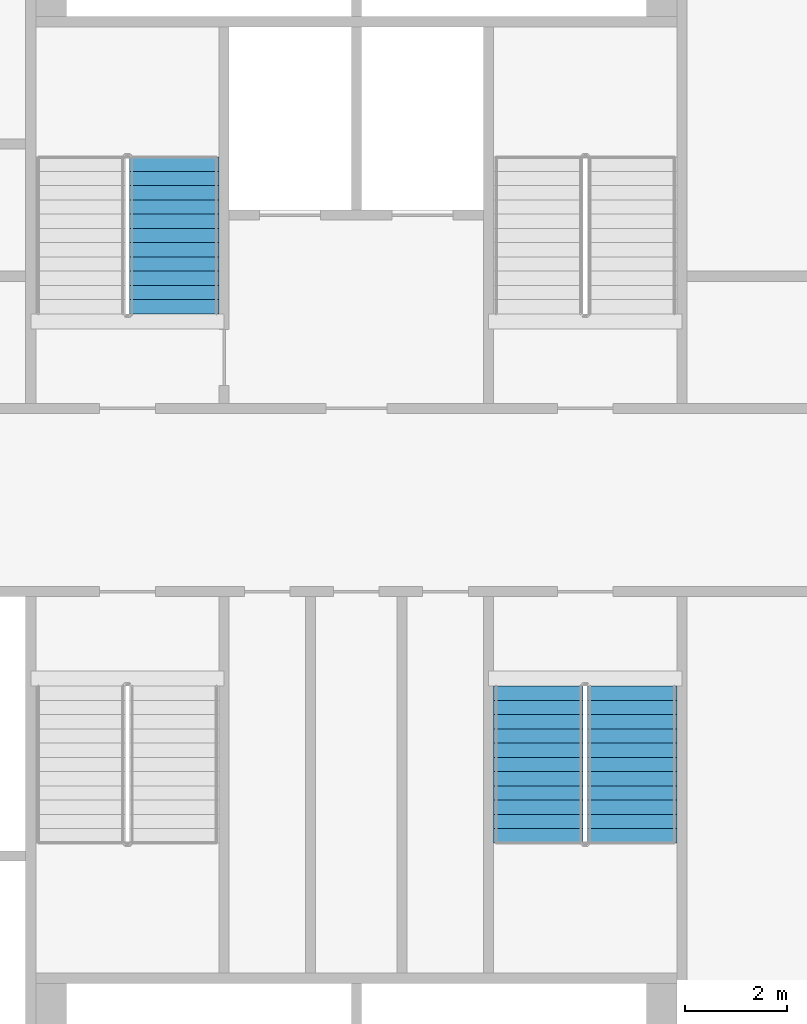
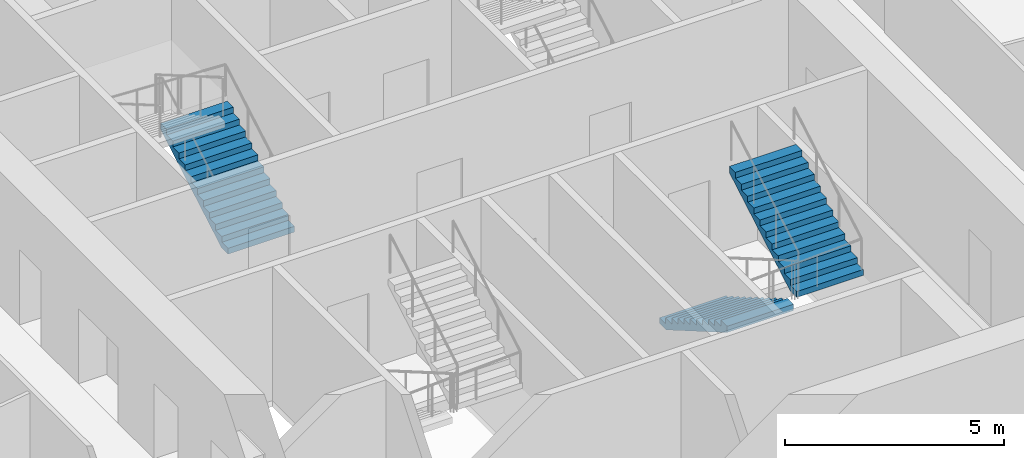
# One storey, part 17 of 24: 3 stair flights, 2 elements without a shape of their own.
"""IFC4 building model written with IfcOpenShell, lengths in metres."""

from ifc_helpers import new_model, si_unit, direction, frame, origin, place, context, subcontext, project, spatial, faceted_brep, material, type_object, element, aggregate, save


model = new_model("IFC4")

# Units and contexts
model_context = context("Model", 3, precision=1e-05, world=origin(), true_north=direction((0.0, 1.0)))
body_context = subcontext(model_context, "Body", "Model", "MODEL_VIEW")
ifc_project = project(units=[si_unit("LENGTHUNIT", "METRE"), si_unit("AREAUNIT", "SQUARE_METRE"), si_unit("VOLUMEUNIT", "CUBIC_METRE"), si_unit("PLANEANGLEUNIT", "RADIAN"), si_unit("MASSUNIT", "GRAM", prefix="KILO")], contexts=[model_context])

# Site, building, storey
site_placement = place(None, origin())
site = spatial("IfcSite", under=ifc_project, at=site_placement, CompositionType="ELEMENT")
building_placement = place(site_placement, origin())
building = spatial("IfcBuilding", under=site, at=building_placement, Name="Tarsis Ring Headquarters", CompositionType="ELEMENT")
storey_placement = place(building_placement, frame((0.0, 0.0, 92.800048828125)))
storey = spatial("IfcBuildingStorey", under=building, at=storey_placement, Name="L20", CompositionType="ELEMENT", Elevation=92.800048828125)

# Stair, stair flight
ifc_material_1 = material(Name="Core stair 1760")
stair_type = type_object("IfcStairType", Name="Core stair 1760", PredefinedType="HALF_TURN_STAIR", material=ifc_material_1)
stair_1_placement = place(storey_placement, origin())
stair_1 = element("IfcStair", 1, at=stair_1_placement, inside=storey, type_object=stair_type, Name="L20 Firefighting stair", PredefinedType="HALF_TURN_STAIR")
ifc_material_2 = material(Name="Concrete C40/50", Category="concrete")
stair_flight_type = type_object("IfcStairFlightType", Name="Core stair flight 1760", PredefinedType="STRAIGHT", material=ifc_material_2)
stair_flight_1_placement = place(storey_placement, frame((-3.580078125, 3.659912109375, 0.0), z_axis=(0.0, 0.0, 1.0), x_axis=(0.0, 1.0, 0.0)))
stair_flight_1 = element("IfcStairFlight", 2, at=stair_flight_1_placement, type_object=stair_flight_type, Name="Stair ST1 flight 1", NumberOfRisers=12, NumberOfTreads=11, PredefinedType="STRAIGHT", RiserHeight=0.1625, TreadLength=0.28, context=body_context, shape_type="Brep", body=[
    faceted_brep([(0.0, 0.8798828125, 0.0), (0.0, 0.8798828125, 0.16259765625), (0.280029296875, 0.8798828125, 0.16259765625), (0.280029296875, 0.8798828125, 0.324951171875), (0.56005859375, 0.8798828125, 0.324951171875), (0.56005859375, 0.8798828125, 0.487548828125), (0.840087890625, 0.8798828125, 0.487548828125), (0.840087890625, 0.8798828125, 0.64990234375), (1.1201171875, 0.8798828125, 0.64990234375), (1.1201171875, 0.8798828125, 0.8125), (1.39990234375, 0.8798828125, 0.8125), (1.39990234375, 0.8798828125, 0.97509765625), (1.679931640625, 0.8798828125, 0.97509765625), (1.679931640625, 0.8798828125, 1.137451171875), (1.9599609375, 0.8798828125, 1.137451171875), (1.9599609375, 0.8798828125, 1.300048828125), (2.239990234375, 0.8798828125, 1.300048828125), (2.239990234375, 0.8798828125, 1.46240234375), (2.52001953125, 0.8798828125, 1.46240234375), (2.52001953125, 0.8798828125, 1.625), (2.800048828125, 0.8798828125, 1.625), (2.800048828125, 0.8798828125, 1.78759765625), (3.080078125, 0.8798828125, 1.78759765625), (3.080078125, 0.8798828125, 1.6142578125), (0.298583984375, 0.8798828125, 0.0), (0.298583984375, -0.8798828125, 0.0), (3.080078125, -0.8798828125, 1.6142578125), (3.080078125, -0.8798828125, 1.78759765625), (2.800048828125, -0.8798828125, 1.78759765625), (2.800048828125, -0.8798828125, 1.625), (2.52001953125, -0.8798828125, 1.625), (2.52001953125, -0.8798828125, 1.46240234375), (2.239990234375, -0.8798828125, 1.46240234375), (2.239990234375, -0.8798828125, 1.300048828125), (1.9599609375, -0.8798828125, 1.300048828125), (1.9599609375, -0.8798828125, 1.137451171875), (1.679931640625, -0.8798828125, 1.137451171875), (1.679931640625, -0.8798828125, 0.97509765625), (1.39990234375, -0.8798828125, 0.97509765625), (1.39990234375, -0.8798828125, 0.8125), (1.1201171875, -0.8798828125, 0.8125), (1.1201171875, -0.8798828125, 0.64990234375), (0.840087890625, -0.8798828125, 0.64990234375), (0.840087890625, -0.8798828125, 0.487548828125), (0.56005859375, -0.8798828125, 0.487548828125), (0.56005859375, -0.8798828125, 0.324951171875), (0.280029296875, -0.8798828125, 0.324951171875), (0.280029296875, -0.8798828125, 0.16259765625), (0.0, -0.8798828125, 0.16259765625), (0.0, -0.8798828125, 0.0), (0.0, -0.43994140625, 0.16259765625), (0.0, -0.43994140625, 0.0), (0.0, 0.0, 0.16259765625), (0.0, 0.0, 0.0), (0.0, 0.43994140625, 0.16259765625), (0.0, 0.43994140625, 0.0), (0.280029296875, -0.43994140625, 0.16259765625), (0.280029296875, 0.0, 0.16259765625), (0.280029296875, 0.43994140625, 0.16259765625), (0.280029296875, -0.43994140625, 0.324951171875), (0.280029296875, 0.0, 0.324951171875), (0.280029296875, 0.43994140625, 0.324951171875), (0.56005859375, -0.43994140625, 0.324951171875), (0.56005859375, 0.0, 0.324951171875), (0.56005859375, 0.43994140625, 0.324951171875), (0.56005859375, -0.43994140625, 0.487548828125), (0.56005859375, 0.0, 0.487548828125), (0.56005859375, 0.43994140625, 0.487548828125), (0.840087890625, -0.43994140625, 0.487548828125), (0.840087890625, 0.0, 0.487548828125), (0.840087890625, 0.43994140625, 0.487548828125), (0.840087890625, -0.43994140625, 0.64990234375), (0.840087890625, 0.0, 0.64990234375), (0.840087890625, 0.43994140625, 0.64990234375), (1.1201171875, -0.43994140625, 0.64990234375), (1.1201171875, 0.0, 0.64990234375), (1.1201171875, 0.43994140625, 0.64990234375), (1.1201171875, -0.43994140625, 0.8125), (1.1201171875, 0.0, 0.8125), (1.1201171875, 0.43994140625, 0.8125), (1.39990234375, -0.43994140625, 0.8125), (1.39990234375, 0.0, 0.8125), (1.39990234375, 0.43994140625, 0.8125), (1.39990234375, -0.43994140625, 0.97509765625), (1.39990234375, 0.0, 0.97509765625), (1.39990234375, 0.43994140625, 0.97509765625), (1.679931640625, -0.43994140625, 0.97509765625), (1.679931640625, 0.0, 0.97509765625), (1.679931640625, 0.43994140625, 0.97509765625), (1.679931640625, -0.43994140625, 1.137451171875), (1.679931640625, 0.0, 1.137451171875), (1.679931640625, 0.43994140625, 1.137451171875), (1.9599609375, -0.43994140625, 1.137451171875), (1.9599609375, 0.0, 1.137451171875), (1.9599609375, 0.43994140625, 1.137451171875), (1.9599609375, -0.43994140625, 1.300048828125), (1.9599609375, 0.0, 1.300048828125), (1.9599609375, 0.43994140625, 1.300048828125), (2.239990234375, -0.43994140625, 1.300048828125), (2.239990234375, 0.0, 1.300048828125), (2.239990234375, 0.43994140625, 1.300048828125), (2.239990234375, -0.43994140625, 1.46240234375), (2.239990234375, 0.0, 1.46240234375), (2.239990234375, 0.43994140625, 1.46240234375), (2.52001953125, -0.43994140625, 1.46240234375), (2.52001953125, 0.0, 1.46240234375), (2.52001953125, 0.43994140625, 1.46240234375), (2.52001953125, -0.43994140625, 1.625), (2.52001953125, 0.0, 1.625), (2.52001953125, 0.43994140625, 1.625), (2.800048828125, -0.43994140625, 1.625), (2.800048828125, 0.0, 1.625), (2.800048828125, 0.43994140625, 1.625), (2.800048828125, -0.43994140625, 1.78759765625), (2.800048828125, 0.0, 1.78759765625), (2.800048828125, 0.43994140625, 1.78759765625), (3.080078125, -0.43994140625, 1.78759765625), (3.080078125, 0.0, 1.78759765625), (3.080078125, 0.43994140625, 1.78759765625), (3.080078125, -0.43994140625, 1.6142578125), (3.080078125, 0.0, 1.6142578125), (3.080078125, 0.43994140625, 1.6142578125), (0.298583984375, -0.43994140625, 0.0), (0.298583984375, 0.0, 0.0), (0.298583984375, 0.43994140625, 0.0)], [[[0, 1, 2, 3, 4, 5, 6, 7, 8, 9, 10, 11, 12, 13, 14, 15, 16, 17, 18, 19, 20, 21, 22, 23, 24]], [[25, 26, 27, 28, 29, 30, 31, 32, 33, 34, 35, 36, 37, 38, 39, 40, 41, 42, 43, 44, 45, 46, 47, 48, 49]], [[49, 48, 50, 51]], [[51, 50, 52, 53]], [[53, 52, 54, 55]], [[55, 54, 1, 0]], [[48, 47, 56, 50]], [[50, 56, 57, 52]], [[52, 57, 58, 54]], [[54, 58, 2, 1]], [[47, 46, 59, 56]], [[56, 59, 60, 57]], [[57, 60, 61, 58]], [[58, 61, 3, 2]], [[46, 45, 62, 59]], [[59, 62, 63, 60]], [[60, 63, 64, 61]], [[61, 64, 4, 3]], [[45, 44, 65, 62]], [[62, 65, 66, 63]], [[63, 66, 67, 64]], [[64, 67, 5, 4]], [[44, 43, 68, 65]], [[65, 68, 69, 66]], [[66, 69, 70, 67]], [[67, 70, 6, 5]], [[43, 42, 71, 68]], [[68, 71, 72, 69]], [[69, 72, 73, 70]], [[70, 73, 7, 6]], [[42, 41, 74, 71]], [[71, 74, 75, 72]], [[72, 75, 76, 73]], [[73, 76, 8, 7]], [[41, 40, 77, 74]], [[74, 77, 78, 75]], [[75, 78, 79, 76]], [[76, 79, 9, 8]], [[40, 39, 80, 77]], [[77, 80, 81, 78]], [[78, 81, 82, 79]], [[79, 82, 10, 9]], [[39, 38, 83, 80]], [[80, 83, 84, 81]], [[81, 84, 85, 82]], [[82, 85, 11, 10]], [[38, 37, 86, 83]], [[83, 86, 87, 84]], [[84, 87, 88, 85]], [[85, 88, 12, 11]], [[37, 36, 89, 86]], [[86, 89, 90, 87]], [[87, 90, 91, 88]], [[88, 91, 13, 12]], [[36, 35, 92, 89]], [[89, 92, 93, 90]], [[90, 93, 94, 91]], [[91, 94, 14, 13]], [[35, 34, 95, 92]], [[92, 95, 96, 93]], [[93, 96, 97, 94]], [[94, 97, 15, 14]], [[34, 33, 98, 95]], [[95, 98, 99, 96]], [[96, 99, 100, 97]], [[97, 100, 16, 15]], [[33, 32, 101, 98]], [[98, 101, 102, 99]], [[99, 102, 103, 100]], [[100, 103, 17, 16]], [[32, 31, 104, 101]], [[101, 104, 105, 102]], [[102, 105, 106, 103]], [[103, 106, 18, 17]], [[31, 30, 107, 104]], [[104, 107, 108, 105]], [[105, 108, 109, 106]], [[106, 109, 19, 18]], [[30, 29, 110, 107]], [[107, 110, 111, 108]], [[108, 111, 112, 109]], [[109, 112, 20, 19]], [[29, 28, 113, 110]], [[110, 113, 114, 111]], [[111, 114, 115, 112]], [[112, 115, 21, 20]], [[28, 27, 116, 113]], [[113, 116, 117, 114]], [[114, 117, 118, 115]], [[115, 118, 22, 21]], [[27, 26, 119, 116]], [[116, 119, 120, 117]], [[117, 120, 121, 118]], [[118, 121, 23, 22]], [[26, 25, 122, 119]], [[119, 122, 123, 120]], [[120, 123, 124, 121]], [[121, 124, 24, 23]], [[25, 49, 51, 122]], [[122, 51, 53, 123]], [[123, 53, 55, 124]], [[124, 55, 0, 24]]]),
])
aggregate(stair_1, [stair_flight_1])

# Stair, stair flights
stair_2_placement = place(storey_placement, origin())
stair_2 = element("IfcStair", 3, at=stair_2_placement, inside=storey, type_object=stair_type, Name="L20 Exit stair D", PredefinedType="HALF_TURN_STAIR")
stair_flight_2_placement = place(storey_placement, frame((3.580078125, -3.659912109375, 0.0), z_axis=(0.0, 0.0, 1.0), x_axis=(0.0, -1.0, 0.0)))
stair_flight_2 = element("IfcStairFlight", 4, at=stair_flight_2_placement, type_object=stair_flight_type, Name="Stair ST4 flight 1", NumberOfRisers=12, NumberOfTreads=11, PredefinedType="STRAIGHT", RiserHeight=0.1625, TreadLength=0.28, context=body_context, shape_type="Brep", body=[
    faceted_brep([(0.0, 0.8798828125, 0.0), (0.0, 0.8798828125, 0.16259765625), (0.280029296875, 0.8798828125, 0.16259765625), (0.280029296875, 0.8798828125, 0.324951171875), (0.56005859375, 0.8798828125, 0.324951171875), (0.56005859375, 0.8798828125, 0.487548828125), (0.840087890625, 0.8798828125, 0.487548828125), (0.840087890625, 0.8798828125, 0.64990234375), (1.1201171875, 0.8798828125, 0.64990234375), (1.1201171875, 0.8798828125, 0.8125), (1.39990234375, 0.8798828125, 0.8125), (1.39990234375, 0.8798828125, 0.97509765625), (1.679931640625, 0.8798828125, 0.97509765625), (1.679931640625, 0.8798828125, 1.137451171875), (1.9599609375, 0.8798828125, 1.137451171875), (1.9599609375, 0.8798828125, 1.300048828125), (2.239990234375, 0.8798828125, 1.300048828125), (2.239990234375, 0.8798828125, 1.46240234375), (2.52001953125, 0.8798828125, 1.46240234375), (2.52001953125, 0.8798828125, 1.625), (2.800048828125, 0.8798828125, 1.625), (2.800048828125, 0.8798828125, 1.78759765625), (3.080078125, 0.8798828125, 1.78759765625), (3.080078125, 0.8798828125, 1.6142578125), (0.298583984375, 0.8798828125, 0.0), (0.298583984375, -0.8798828125, 0.0), (3.080078125, -0.8798828125, 1.6142578125), (3.080078125, -0.8798828125, 1.78759765625), (2.800048828125, -0.8798828125, 1.78759765625), (2.800048828125, -0.8798828125, 1.625), (2.52001953125, -0.8798828125, 1.625), (2.52001953125, -0.8798828125, 1.46240234375), (2.239990234375, -0.8798828125, 1.46240234375), (2.239990234375, -0.8798828125, 1.300048828125), (1.9599609375, -0.8798828125, 1.300048828125), (1.9599609375, -0.8798828125, 1.137451171875), (1.679931640625, -0.8798828125, 1.137451171875), (1.679931640625, -0.8798828125, 0.97509765625), (1.39990234375, -0.8798828125, 0.97509765625), (1.39990234375, -0.8798828125, 0.8125), (1.1201171875, -0.8798828125, 0.8125), (1.1201171875, -0.8798828125, 0.64990234375), (0.840087890625, -0.8798828125, 0.64990234375), (0.840087890625, -0.8798828125, 0.487548828125), (0.56005859375, -0.8798828125, 0.487548828125), (0.56005859375, -0.8798828125, 0.324951171875), (0.280029296875, -0.8798828125, 0.324951171875), (0.280029296875, -0.8798828125, 0.16259765625), (0.0, -0.8798828125, 0.16259765625), (0.0, -0.8798828125, 0.0), (0.0, -0.43994140625, 0.16259765625), (0.0, -0.43994140625, 0.0), (0.0, 0.0, 0.16259765625), (0.0, 0.0, 0.0), (0.0, 0.43994140625, 0.16259765625), (0.0, 0.43994140625, 0.0), (0.280029296875, -0.43994140625, 0.16259765625), (0.280029296875, 0.0, 0.16259765625), (0.280029296875, 0.43994140625, 0.16259765625), (0.280029296875, -0.43994140625, 0.324951171875), (0.280029296875, 0.0, 0.324951171875), (0.280029296875, 0.43994140625, 0.324951171875), (0.56005859375, -0.43994140625, 0.324951171875), (0.56005859375, 0.0, 0.324951171875), (0.56005859375, 0.43994140625, 0.324951171875), (0.56005859375, -0.43994140625, 0.487548828125), (0.56005859375, 0.0, 0.487548828125), (0.56005859375, 0.43994140625, 0.487548828125), (0.840087890625, -0.43994140625, 0.487548828125), (0.840087890625, 0.0, 0.487548828125), (0.840087890625, 0.43994140625, 0.487548828125), (0.840087890625, -0.43994140625, 0.64990234375), (0.840087890625, 0.0, 0.64990234375), (0.840087890625, 0.43994140625, 0.64990234375), (1.1201171875, -0.43994140625, 0.64990234375), (1.1201171875, 0.0, 0.64990234375), (1.1201171875, 0.43994140625, 0.64990234375), (1.1201171875, -0.43994140625, 0.8125), (1.1201171875, 0.0, 0.8125), (1.1201171875, 0.43994140625, 0.8125), (1.39990234375, -0.43994140625, 0.8125), (1.39990234375, 0.0, 0.8125), (1.39990234375, 0.43994140625, 0.8125), (1.39990234375, -0.43994140625, 0.97509765625), (1.39990234375, 0.0, 0.97509765625), (1.39990234375, 0.43994140625, 0.97509765625), (1.679931640625, -0.43994140625, 0.97509765625), (1.679931640625, 0.0, 0.97509765625), (1.679931640625, 0.43994140625, 0.97509765625), (1.679931640625, -0.43994140625, 1.137451171875), (1.679931640625, 0.0, 1.137451171875), (1.679931640625, 0.43994140625, 1.137451171875), (1.9599609375, -0.43994140625, 1.137451171875), (1.9599609375, 0.0, 1.137451171875), (1.9599609375, 0.43994140625, 1.137451171875), (1.9599609375, -0.43994140625, 1.300048828125), (1.9599609375, 0.0, 1.300048828125), (1.9599609375, 0.43994140625, 1.300048828125), (2.239990234375, -0.43994140625, 1.300048828125), (2.239990234375, 0.0, 1.300048828125), (2.239990234375, 0.43994140625, 1.300048828125), (2.239990234375, -0.43994140625, 1.46240234375), (2.239990234375, 0.0, 1.46240234375), (2.239990234375, 0.43994140625, 1.46240234375), (2.52001953125, -0.43994140625, 1.46240234375), (2.52001953125, 0.0, 1.46240234375), (2.52001953125, 0.43994140625, 1.46240234375), (2.52001953125, -0.43994140625, 1.625), (2.52001953125, 0.0, 1.625), (2.52001953125, 0.43994140625, 1.625), (2.800048828125, -0.43994140625, 1.625), (2.800048828125, 0.0, 1.625), (2.800048828125, 0.43994140625, 1.625), (2.800048828125, -0.43994140625, 1.78759765625), (2.800048828125, 0.0, 1.78759765625), (2.800048828125, 0.43994140625, 1.78759765625), (3.080078125, -0.43994140625, 1.78759765625), (3.080078125, 0.0, 1.78759765625), (3.080078125, 0.43994140625, 1.78759765625), (3.080078125, -0.43994140625, 1.6142578125), (3.080078125, 0.0, 1.6142578125), (3.080078125, 0.43994140625, 1.6142578125), (0.298583984375, -0.43994140625, 0.0), (0.298583984375, 0.0, 0.0), (0.298583984375, 0.43994140625, 0.0)], [[[0, 1, 2, 3, 4, 5, 6, 7, 8, 9, 10, 11, 12, 13, 14, 15, 16, 17, 18, 19, 20, 21, 22, 23, 24]], [[25, 26, 27, 28, 29, 30, 31, 32, 33, 34, 35, 36, 37, 38, 39, 40, 41, 42, 43, 44, 45, 46, 47, 48, 49]], [[49, 48, 50, 51]], [[51, 50, 52, 53]], [[53, 52, 54, 55]], [[55, 54, 1, 0]], [[48, 47, 56, 50]], [[50, 56, 57, 52]], [[52, 57, 58, 54]], [[54, 58, 2, 1]], [[47, 46, 59, 56]], [[56, 59, 60, 57]], [[57, 60, 61, 58]], [[58, 61, 3, 2]], [[46, 45, 62, 59]], [[59, 62, 63, 60]], [[60, 63, 64, 61]], [[61, 64, 4, 3]], [[45, 44, 65, 62]], [[62, 65, 66, 63]], [[63, 66, 67, 64]], [[64, 67, 5, 4]], [[44, 43, 68, 65]], [[65, 68, 69, 66]], [[66, 69, 70, 67]], [[67, 70, 6, 5]], [[43, 42, 71, 68]], [[68, 71, 72, 69]], [[69, 72, 73, 70]], [[70, 73, 7, 6]], [[42, 41, 74, 71]], [[71, 74, 75, 72]], [[72, 75, 76, 73]], [[73, 76, 8, 7]], [[41, 40, 77, 74]], [[74, 77, 78, 75]], [[75, 78, 79, 76]], [[76, 79, 9, 8]], [[40, 39, 80, 77]], [[77, 80, 81, 78]], [[78, 81, 82, 79]], [[79, 82, 10, 9]], [[39, 38, 83, 80]], [[80, 83, 84, 81]], [[81, 84, 85, 82]], [[82, 85, 11, 10]], [[38, 37, 86, 83]], [[83, 86, 87, 84]], [[84, 87, 88, 85]], [[85, 88, 12, 11]], [[37, 36, 89, 86]], [[86, 89, 90, 87]], [[87, 90, 91, 88]], [[88, 91, 13, 12]], [[36, 35, 92, 89]], [[89, 92, 93, 90]], [[90, 93, 94, 91]], [[91, 94, 14, 13]], [[35, 34, 95, 92]], [[92, 95, 96, 93]], [[93, 96, 97, 94]], [[94, 97, 15, 14]], [[34, 33, 98, 95]], [[95, 98, 99, 96]], [[96, 99, 100, 97]], [[97, 100, 16, 15]], [[33, 32, 101, 98]], [[98, 101, 102, 99]], [[99, 102, 103, 100]], [[100, 103, 17, 16]], [[32, 31, 104, 101]], [[101, 104, 105, 102]], [[102, 105, 106, 103]], [[103, 106, 18, 17]], [[31, 30, 107, 104]], [[104, 107, 108, 105]], [[105, 108, 109, 106]], [[106, 109, 19, 18]], [[30, 29, 110, 107]], [[107, 110, 111, 108]], [[108, 111, 112, 109]], [[109, 112, 20, 19]], [[29, 28, 113, 110]], [[110, 113, 114, 111]], [[111, 114, 115, 112]], [[112, 115, 21, 20]], [[28, 27, 116, 113]], [[113, 116, 117, 114]], [[114, 117, 118, 115]], [[115, 118, 22, 21]], [[27, 26, 119, 116]], [[116, 119, 120, 117]], [[117, 120, 121, 118]], [[118, 121, 23, 22]], [[26, 25, 122, 119]], [[119, 122, 123, 120]], [[120, 123, 124, 121]], [[121, 124, 24, 23]], [[25, 49, 51, 122]], [[122, 51, 53, 123]], [[123, 53, 55, 124]], [[124, 55, 0, 24]]]),
])
stair_flight_3_placement = place(storey_placement, frame((5.419921875, -6.739990234375, 1.949951171875), z_axis=(0.0, 0.0, 1.0), x_axis=(0.0, 1.0, 0.0)))
stair_flight_3 = element("IfcStairFlight", 5, at=stair_flight_3_placement, type_object=stair_flight_type, Name="Stair ST4 flight 2", NumberOfRisers=12, NumberOfTreads=11, PredefinedType="STRAIGHT", RiserHeight=0.1625, TreadLength=0.28, context=body_context, shape_type="Brep", body=[
    faceted_brep([(0.0, 0.8798828125, 0.0), (0.0, 0.8798828125, 0.16259765625), (0.280029296875, 0.8798828125, 0.16259765625), (0.280029296875, 0.8798828125, 0.324951171875), (0.56005859375, 0.8798828125, 0.324951171875), (0.56005859375, 0.8798828125, 0.487548828125), (0.840087890625, 0.8798828125, 0.487548828125), (0.840087890625, 0.8798828125, 0.64990234375), (1.1201171875, 0.8798828125, 0.64990234375), (1.1201171875, 0.8798828125, 0.8125), (1.39990234375, 0.8798828125, 0.8125), (1.39990234375, 0.8798828125, 0.97509765625), (1.679931640625, 0.8798828125, 0.97509765625), (1.679931640625, 0.8798828125, 1.137451171875), (1.9599609375, 0.8798828125, 1.137451171875), (1.9599609375, 0.8798828125, 1.300048828125), (2.239990234375, 0.8798828125, 1.300048828125), (2.239990234375, 0.8798828125, 1.46240234375), (2.52001953125, 0.8798828125, 1.46240234375), (2.52001953125, 0.8798828125, 1.625), (2.800048828125, 0.8798828125, 1.625), (2.800048828125, 0.8798828125, 1.78759765625), (3.080078125, 0.8798828125, 1.78759765625), (3.080078125, 0.8798828125, 1.6142578125), (0.298583984375, 0.8798828125, 0.0), (0.298583984375, -0.8798828125, 0.0), (3.080078125, -0.8798828125, 1.6142578125), (3.080078125, -0.8798828125, 1.78759765625), (2.800048828125, -0.8798828125, 1.78759765625), (2.800048828125, -0.8798828125, 1.625), (2.52001953125, -0.8798828125, 1.625), (2.52001953125, -0.8798828125, 1.46240234375), (2.239990234375, -0.8798828125, 1.46240234375), (2.239990234375, -0.8798828125, 1.300048828125), (1.9599609375, -0.8798828125, 1.300048828125), (1.9599609375, -0.8798828125, 1.137451171875), (1.679931640625, -0.8798828125, 1.137451171875), (1.679931640625, -0.8798828125, 0.97509765625), (1.39990234375, -0.8798828125, 0.97509765625), (1.39990234375, -0.8798828125, 0.8125), (1.1201171875, -0.8798828125, 0.8125), (1.1201171875, -0.8798828125, 0.64990234375), (0.840087890625, -0.8798828125, 0.64990234375), (0.840087890625, -0.8798828125, 0.487548828125), (0.56005859375, -0.8798828125, 0.487548828125), (0.56005859375, -0.8798828125, 0.324951171875), (0.280029296875, -0.8798828125, 0.324951171875), (0.280029296875, -0.8798828125, 0.16259765625), (0.0, -0.8798828125, 0.16259765625), (0.0, -0.8798828125, 0.0), (0.0, -0.43994140625, 0.16259765625), (0.0, -0.43994140625, 0.0), (0.0, 0.0, 0.16259765625), (0.0, 0.0, 0.0), (0.0, 0.43994140625, 0.16259765625), (0.0, 0.43994140625, 0.0), (0.280029296875, -0.43994140625, 0.16259765625), (0.280029296875, 0.0, 0.16259765625), (0.280029296875, 0.43994140625, 0.16259765625), (0.280029296875, -0.43994140625, 0.324951171875), (0.280029296875, 0.0, 0.324951171875), (0.280029296875, 0.43994140625, 0.324951171875), (0.56005859375, -0.43994140625, 0.324951171875), (0.56005859375, 0.0, 0.324951171875), (0.56005859375, 0.43994140625, 0.324951171875), (0.56005859375, -0.43994140625, 0.487548828125), (0.56005859375, 0.0, 0.487548828125), (0.56005859375, 0.43994140625, 0.487548828125), (0.840087890625, -0.43994140625, 0.487548828125), (0.840087890625, 0.0, 0.487548828125), (0.840087890625, 0.43994140625, 0.487548828125), (0.840087890625, -0.43994140625, 0.64990234375), (0.840087890625, 0.0, 0.64990234375), (0.840087890625, 0.43994140625, 0.64990234375), (1.1201171875, -0.43994140625, 0.64990234375), (1.1201171875, 0.0, 0.64990234375), (1.1201171875, 0.43994140625, 0.64990234375), (1.1201171875, -0.43994140625, 0.8125), (1.1201171875, 0.0, 0.8125), (1.1201171875, 0.43994140625, 0.8125), (1.39990234375, -0.43994140625, 0.8125), (1.39990234375, 0.0, 0.8125), (1.39990234375, 0.43994140625, 0.8125), (1.39990234375, -0.43994140625, 0.97509765625), (1.39990234375, 0.0, 0.97509765625), (1.39990234375, 0.43994140625, 0.97509765625), (1.679931640625, -0.43994140625, 0.97509765625), (1.679931640625, 0.0, 0.97509765625), (1.679931640625, 0.43994140625, 0.97509765625), (1.679931640625, -0.43994140625, 1.137451171875), (1.679931640625, 0.0, 1.137451171875), (1.679931640625, 0.43994140625, 1.137451171875), (1.9599609375, -0.43994140625, 1.137451171875), (1.9599609375, 0.0, 1.137451171875), (1.9599609375, 0.43994140625, 1.137451171875), (1.9599609375, -0.43994140625, 1.300048828125), (1.9599609375, 0.0, 1.300048828125), (1.9599609375, 0.43994140625, 1.300048828125), (2.239990234375, -0.43994140625, 1.300048828125), (2.239990234375, 0.0, 1.300048828125), (2.239990234375, 0.43994140625, 1.300048828125), (2.239990234375, -0.43994140625, 1.46240234375), (2.239990234375, 0.0, 1.46240234375), (2.239990234375, 0.43994140625, 1.46240234375), (2.52001953125, -0.43994140625, 1.46240234375), (2.52001953125, 0.0, 1.46240234375), (2.52001953125, 0.43994140625, 1.46240234375), (2.52001953125, -0.43994140625, 1.625), (2.52001953125, 0.0, 1.625), (2.52001953125, 0.43994140625, 1.625), (2.800048828125, -0.43994140625, 1.625), (2.800048828125, 0.0, 1.625), (2.800048828125, 0.43994140625, 1.625), (2.800048828125, -0.43994140625, 1.78759765625), (2.800048828125, 0.0, 1.78759765625), (2.800048828125, 0.43994140625, 1.78759765625), (3.080078125, -0.43994140625, 1.78759765625), (3.080078125, 0.0, 1.78759765625), (3.080078125, 0.43994140625, 1.78759765625), (3.080078125, -0.43994140625, 1.6142578125), (3.080078125, 0.0, 1.6142578125), (3.080078125, 0.43994140625, 1.6142578125), (0.298583984375, -0.43994140625, 0.0), (0.298583984375, 0.0, 0.0), (0.298583984375, 0.43994140625, 0.0)], [[[0, 1, 2, 3, 4, 5, 6, 7, 8, 9, 10, 11, 12, 13, 14, 15, 16, 17, 18, 19, 20, 21, 22, 23, 24]], [[25, 26, 27, 28, 29, 30, 31, 32, 33, 34, 35, 36, 37, 38, 39, 40, 41, 42, 43, 44, 45, 46, 47, 48, 49]], [[49, 48, 50, 51]], [[51, 50, 52, 53]], [[53, 52, 54, 55]], [[55, 54, 1, 0]], [[48, 47, 56, 50]], [[50, 56, 57, 52]], [[52, 57, 58, 54]], [[54, 58, 2, 1]], [[47, 46, 59, 56]], [[56, 59, 60, 57]], [[57, 60, 61, 58]], [[58, 61, 3, 2]], [[46, 45, 62, 59]], [[59, 62, 63, 60]], [[60, 63, 64, 61]], [[61, 64, 4, 3]], [[45, 44, 65, 62]], [[62, 65, 66, 63]], [[63, 66, 67, 64]], [[64, 67, 5, 4]], [[44, 43, 68, 65]], [[65, 68, 69, 66]], [[66, 69, 70, 67]], [[67, 70, 6, 5]], [[43, 42, 71, 68]], [[68, 71, 72, 69]], [[69, 72, 73, 70]], [[70, 73, 7, 6]], [[42, 41, 74, 71]], [[71, 74, 75, 72]], [[72, 75, 76, 73]], [[73, 76, 8, 7]], [[41, 40, 77, 74]], [[74, 77, 78, 75]], [[75, 78, 79, 76]], [[76, 79, 9, 8]], [[40, 39, 80, 77]], [[77, 80, 81, 78]], [[78, 81, 82, 79]], [[79, 82, 10, 9]], [[39, 38, 83, 80]], [[80, 83, 84, 81]], [[81, 84, 85, 82]], [[82, 85, 11, 10]], [[38, 37, 86, 83]], [[83, 86, 87, 84]], [[84, 87, 88, 85]], [[85, 88, 12, 11]], [[37, 36, 89, 86]], [[86, 89, 90, 87]], [[87, 90, 91, 88]], [[88, 91, 13, 12]], [[36, 35, 92, 89]], [[89, 92, 93, 90]], [[90, 93, 94, 91]], [[91, 94, 14, 13]], [[35, 34, 95, 92]], [[92, 95, 96, 93]], [[93, 96, 97, 94]], [[94, 97, 15, 14]], [[34, 33, 98, 95]], [[95, 98, 99, 96]], [[96, 99, 100, 97]], [[97, 100, 16, 15]], [[33, 32, 101, 98]], [[98, 101, 102, 99]], [[99, 102, 103, 100]], [[100, 103, 17, 16]], [[32, 31, 104, 101]], [[101, 104, 105, 102]], [[102, 105, 106, 103]], [[103, 106, 18, 17]], [[31, 30, 107, 104]], [[104, 107, 108, 105]], [[105, 108, 109, 106]], [[106, 109, 19, 18]], [[30, 29, 110, 107]], [[107, 110, 111, 108]], [[108, 111, 112, 109]], [[109, 112, 20, 19]], [[29, 28, 113, 110]], [[110, 113, 114, 111]], [[111, 114, 115, 112]], [[112, 115, 21, 20]], [[28, 27, 116, 113]], [[113, 116, 117, 114]], [[114, 117, 118, 115]], [[115, 118, 22, 21]], [[27, 26, 119, 116]], [[116, 119, 120, 117]], [[117, 120, 121, 118]], [[118, 121, 23, 22]], [[26, 25, 122, 119]], [[119, 122, 123, 120]], [[120, 123, 124, 121]], [[121, 124, 24, 23]], [[25, 49, 51, 122]], [[122, 51, 53, 123]], [[123, 53, 55, 124]], [[124, 55, 0, 24]]]),
])
aggregate(stair_2, [stair_flight_2, stair_flight_3])

save(model, "model.ifc")
